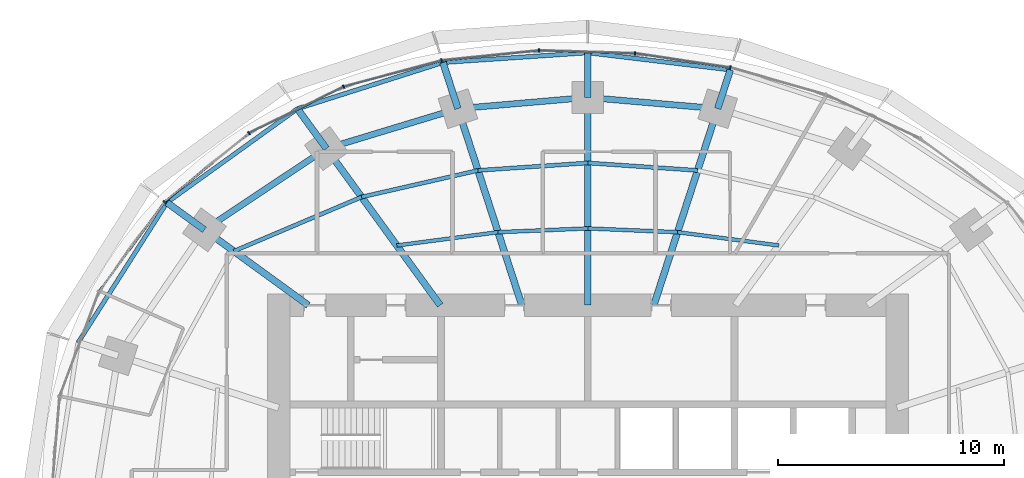
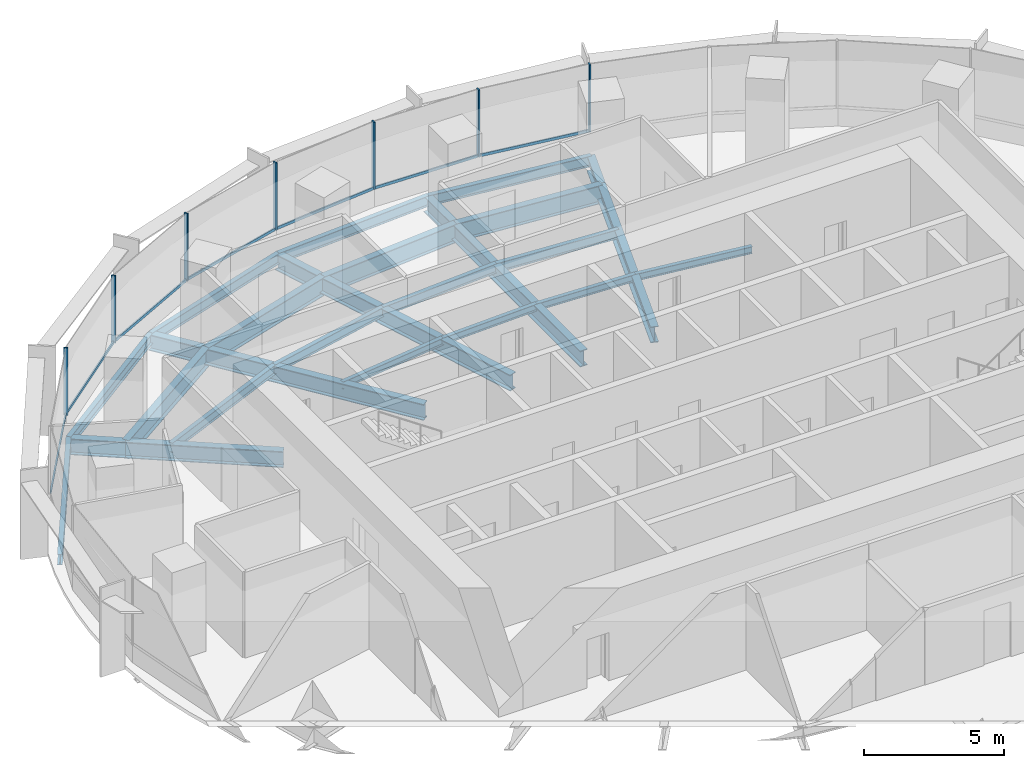
# One storey, part 7 of 14: 27 beams, 14 members, 2 elements without a shape of their own.
"""IFC4 building model written with IfcOpenShell, lengths in metres."""

import ifcopenshell
import ifcopenshell.guid

model = None  # the IFC model being written
_history = None  # IfcOwnerHistory: only IFC2X3 demands one
_inside = {}  # id of a spatial element -> (the spatial element, [elements in it])
_under = {}  # id of a project, library or spatial element -> (it, [spatial elements below it])
_declared = {}  # id of a project -> (the project, [libraries it declares])
_typed = {}  # id of a type object -> (the type object, [elements of that type])
_made_of = {}  # id of a material, layer set ... -> (it, [elements and type objects made of it])


def new_model(schema):
    """Start an empty IFC model of exactly this schema.

    Asked for "IFC4X3", IfcOpenShell would pick the latest addendum, in which some entities
    have other attributes; the version numbers below select the first issue.
    IFC2X3 requires an IfcOwnerHistory on every rooted entity: one is made here for all.
    """
    global model, _history
    if schema == "IFC4X3":
        model = ifcopenshell.file(schema_version=(4, 3, 0, 0))
    else:
        model = ifcopenshell.file(schema=schema)
    _inside.clear()
    _under.clear()
    _declared.clear()
    _typed.clear()
    _made_of.clear()
    _history = None
    if model.schema == "IFC2X3":
        org = make("IfcOrganization", Name="unknown")
        user = make(
            "IfcPersonAndOrganization",
            ThePerson=make("IfcPerson", FamilyName="unknown"),
            TheOrganization=org,
        )
        app = make(
            "IfcApplication",
            ApplicationDeveloper=org,
            Version="unknown",
            ApplicationFullName="unknown",
            ApplicationIdentifier="unknown",
        )
        _history = make(
            "IfcOwnerHistory",
            OwningUser=user,
            OwningApplication=app,
            ChangeAction="ADDED",
            CreationDate=0,
        )
    return model


def make(cls, **values):
    """One entity of the class cls with the attributes given. An attribute that is None is left unset."""
    return model.create_entity(
        cls, **{name: value for name, value in values.items() if value is not None}
    )


def rooted(cls, **values):
    """An entity with a GlobalId (a new one), such as an element, a storey or a relation."""
    return make(cls, GlobalId=ifcopenshell.guid.new(), OwnerHistory=_history, **values)


def si_unit(unit_type, name, prefix=None):
    """IfcSIUnit, for example si_unit("LENGTHUNIT", "METRE", prefix="MILLI")."""
    return make("IfcSIUnit", UnitType=unit_type, Prefix=prefix, Name=name)


def assignment(units):
    """IfcUnitAssignment: the units of a project."""
    return None if units is None else make("IfcUnitAssignment", Units=units)


def point(xyz):
    """IfcCartesianPoint."""
    return None if xyz is None else make("IfcCartesianPoint", Coordinates=xyz)


def direction(xyz):
    """IfcDirection."""
    return None if xyz is None else make("IfcDirection", DirectionRatios=xyz)


def frame(location, z_axis=None, x_axis=None):
    """IfcAxis2Placement3D, a coordinate frame: its origin and axes. An axis left out is left unset."""
    return make(
        "IfcAxis2Placement3D",
        Location=point(location),
        Axis=direction(z_axis),
        RefDirection=direction(x_axis),
    )


def frame_2d(location, x_axis=None):
    """IfcAxis2Placement2D, a coordinate frame in the plane: its origin and x axis."""
    return make(
        "IfcAxis2Placement2D", Location=point(location), RefDirection=direction(x_axis)
    )


def origin():
    """The frame at (0, 0, 0) with its axes left unset."""
    return frame((0.0, 0.0, 0.0))


def origin_2d():
    """The frame at (0, 0) in the plane with its x axis left unset."""
    return frame_2d((0.0, 0.0))


def place(relative_to, where):
    """IfcLocalPlacement: puts the frame where relative to a parent placement (None: the world)."""
    return make(
        "IfcLocalPlacement", PlacementRelTo=relative_to, RelativePlacement=where
    )


def context(
    kind, dimensions, precision=None, world=None, true_north=None, identifier=None
):
    """IfcGeometricRepresentationContext, for example the 3D "Model" context."""
    return make(
        "IfcGeometricRepresentationContext",
        ContextIdentifier=identifier,
        ContextType=kind,
        CoordinateSpaceDimension=dimensions,
        Precision=precision,
        WorldCoordinateSystem=world,
        TrueNorth=true_north,
    )


def subcontext(parent, identifier, kind, view, scale=None):
    """IfcGeometricRepresentationSubContext, for example "Body" below "Model"."""
    return make(
        "IfcGeometricRepresentationSubContext",
        ContextIdentifier=identifier,
        ContextType=kind,
        ParentContext=parent,
        TargetScale=scale,
        TargetView=view,
    )


def project(units=None, contexts=None):
    """IfcProject with its units and contexts."""
    return rooted(
        "IfcProject",
        Name="project",
        RepresentationContexts=contexts,
        UnitsInContext=assignment(units),
    )


def spatial(cls, under=None, at=None, **own):
    """A site, building, storey or space (cls), placed at a placement, below another one or the project."""
    s = rooted(cls, ObjectPlacement=at, **own)
    if under is not None:
        _under.setdefault(under.id(), (under, []))[1].append(s)
    return s


def profile(cls, at=None, kind="AREA", **sizes):
    """A parametric profile (cls). Its sizes go by their IFC names, for example OverallWidth=200.0."""
    return make(cls, ProfileType=kind, Position=at, **sizes)


def rectangle(**sizes):
    """IfcRectangleProfileDef."""
    return profile("IfcRectangleProfileDef", **sizes)


def i_section(**sizes):
    """IfcIShapeProfileDef."""
    return profile("IfcIShapeProfileDef", **sizes)


def extrude(swept, where, along, depth):
    """IfcExtrudedAreaSolid: the profile swept, set in the frame where, extruded along a direction by depth."""
    return make(
        "IfcExtrudedAreaSolid",
        SweptArea=swept,
        Position=where,
        ExtrudedDirection=direction(along),
        Depth=depth,
    )


def shape(context_of_items, identifier, shape_type, items):
    """IfcShapeRepresentation: the items that make up one representation, for example the "Body"."""
    return make(
        "IfcShapeRepresentation",
        ContextOfItems=context_of_items,
        RepresentationIdentifier=identifier,
        RepresentationType=shape_type,
        Items=items,
    )


def material(Name=None, Category=None):
    """IfcMaterial."""
    return make("IfcMaterial", Name=Name, Category=Category)


def material_profile(
    of_material, cross_section, Name=None, Category=None, Priority=None
):
    """IfcMaterialProfile: a cross section and its material."""
    return make(
        "IfcMaterialProfile",
        Name=Name,
        Material=of_material,
        Profile=cross_section,
        Priority=Priority,
        Category=Category,
    )


def profile_set(profiles, Name=None, composite=None):
    """IfcMaterialProfileSet."""
    return make(
        "IfcMaterialProfileSet",
        Name=Name,
        MaterialProfiles=profiles,
        CompositeProfile=composite,
    )


def made_of(thing, what):
    """Note that an element or type object is made of a material, layer set ...; save() writes the relation."""
    if what is not None:
        _made_of.setdefault(what.id(), (what, []))[1].append(thing)
    return thing


def type_object(cls, material=None, **own):
    """A type object (cls), such as IfcWallType, which elements share."""
    return made_of(rooted(cls, **own), material)


def element(
    cls,
    number,
    at=None,
    inside=None,
    cuts=None,
    type_object=None,
    material=None,
    context=None,
    identifier="Body",
    shape_type=None,
    held_by="IfcProductDefinitionShape",
    body=None,
    shapes=None,
    **own,
):
    """One element of the class cls, such as IfcWall. Its Tag is "e" and its number.

    at: its placement. inside: the storey or other place that contains it. cuts: it is an
    opening in that element (IfcRelVoidsElement). A single representation is given by context,
    identifier, shape_type and body (its items); several are given by shapes. held_by: the class
    of the entity that holds the representations. save() writes the other relations.
    """
    e = rooted(cls, Tag="e%d" % number, ObjectPlacement=at, **own)
    if body is not None:
        shapes = [shape(context, identifier, shape_type, body)]
    if shapes is not None:
        e.Representation = make(held_by, Representations=shapes)
    if inside is not None:
        _inside.setdefault(inside.id(), (inside, []))[1].append(e)
    if cuts is not None:
        rooted(
            "IfcRelVoidsElement", RelatingBuildingElement=cuts, RelatedOpeningElement=e
        )
    if type_object is not None:
        _typed.setdefault(type_object.id(), (type_object, []))[1].append(e)
    return made_of(e, material)


def aggregate(whole, parts):
    """IfcRelAggregates: a whole, such as a stair, and the parts it consists of."""
    return rooted("IfcRelAggregates", RelatingObject=whole, RelatedObjects=parts)


def save(model, path):
    """Write the relations noted so far, then the file.

    IfcRelAggregates (storeys below a building ...), IfcRelContainedInSpatialStructure (elements
    in a storey), IfcRelDefinesByType, IfcRelAssociatesMaterial and IfcRelDeclares: one each for
    every whole, place, type object, material and project.
    """
    for whole, parts in _under.values():
        aggregate(whole, parts)
    for where, things in _inside.values():
        rooted(
            "IfcRelContainedInSpatialStructure",
            RelatedElements=things,
            RelatingStructure=where,
        )
    for kind, things in _typed.values():
        rooted("IfcRelDefinesByType", RelatedObjects=things, RelatingType=kind)
    for what, things in _made_of.values():
        rooted("IfcRelAssociatesMaterial", RelatedObjects=things, RelatingMaterial=what)
    for by, libraries in _declared.values():
        rooted("IfcRelDeclares", RelatingContext=by, RelatedDefinitions=libraries)
    model.write(path)


model = new_model("IFC4")

# Units and contexts
model_context = context("Model", 3, precision=1e-05, world=origin(), true_north=direction((0.0, 1.0)))
body_context = subcontext(model_context, "Body", "Model", "MODEL_VIEW")
ifc_project = project(units=[si_unit("LENGTHUNIT", "METRE"), si_unit("AREAUNIT", "SQUARE_METRE"), si_unit("VOLUMEUNIT", "CUBIC_METRE"), si_unit("PLANEANGLEUNIT", "RADIAN"), si_unit("MASSUNIT", "GRAM", prefix="KILO")], contexts=[model_context])

# Site, building, storey
site_placement = place(None, origin())
site = spatial("IfcSite", under=ifc_project, at=site_placement, CompositionType="ELEMENT")
building_placement = place(site_placement, origin())
building = spatial("IfcBuilding", under=site, at=building_placement, Name="Marramba Exchange Tower", CompositionType="ELEMENT")
storey_placement = place(building_placement, frame((0.0, 0.0, 199.39990234375)))
storey = spatial("IfcBuildingStorey", under=building, at=storey_placement, Name="L48", CompositionType="ELEMENT", Elevation=199.39990234375)

# Beams
ifc_material_1 = material(Name="Steel AS/NZS 3679.2 grade 300", Category="steel")
ifc_material_profile_1 = material_profile(ifc_material_1, i_section(OverallWidth=0.300048828125, OverallDepth=0.699951171875, WebThickness=0.010009765625, FlangeThickness=0.031982421875, at=origin_2d()), Name="700WB173")
ifc_profile_set_1 = profile_set([ifc_material_profile_1], Name="Steel AS/NZS 3679.2 grade 300")
beam_type_1 = type_object("IfcBeamType", Name="Cantilever girder 700WB173", PredefinedType="BEAM", material=ifc_profile_set_1)
beam_1_placement = place(storey_placement, frame((5.75390625, 17.70849609375, -0.510009765625), z_axis=(0.308960771946, 0.951074782232, 0.0), x_axis=(-0.951074782232, 0.308960771946, 0.0)))
element("IfcBeam", 1, at=beam_1_placement, inside=storey, type_object=beam_type_1, Name="Cantilever girder L48 TC05", PredefinedType="BEAM", context=body_context, shape_type="SweptSolid", body=[
    extrude(i_section(OverallWidth=0.300048828125, OverallDepth=0.699951171875, WebThickness=0.010009765625, FlangeThickness=0.031982421875, at=origin_2d()), origin(), (0.0, 0.0, 1.0), 1.806396484375),
])
beam_2_placement = place(storey_placement, frame((0.0, 18.2041015625, -0.510009765625), z_axis=(0.0, 1.0, 0.0), x_axis=(-1.0, 0.0, 0.0)))
element("IfcBeam", 2, at=beam_2_placement, inside=storey, type_object=beam_type_1, Name="Cantilever girder L48 TC06", PredefinedType="BEAM", context=body_context, shape_type="SweptSolid", body=[
    extrude(i_section(OverallWidth=0.300048828125, OverallDepth=0.699951171875, WebThickness=0.010009765625, FlangeThickness=0.031982421875, at=origin_2d()), origin(), (0.0, 0.0, 1.0), 1.982177734375),
])
beam_3_placement = place(storey_placement, frame((-5.75390625, 17.70849609375, -0.510009765625), z_axis=(-0.308998798068, 0.951062428441, 0.0), x_axis=(-0.951062428441, -0.308998798068, 0.0)))
element("IfcBeam", 3, at=beam_3_placement, inside=storey, type_object=beam_type_1, Name="Cantilever girder L48 TC07", PredefinedType="BEAM", context=body_context, shape_type="SweptSolid", body=[
    extrude(i_section(OverallWidth=0.300048828125, OverallDepth=0.699951171875, WebThickness=0.010009765625, FlangeThickness=0.031982421875, at=origin_2d()), origin(), (0.0, 0.0, 1.0), 2.150634765625),
])
beam_4_placement = place(storey_placement, frame((-11.581298828125, 15.9404296875, -0.510009765625), z_axis=(-0.587832433352, 0.808982713226, 0.0), x_axis=(-0.808982713226, -0.587832433352, 0.0)))
element("IfcBeam", 4, at=beam_4_placement, inside=storey, type_object=beam_type_1, Name="Cantilever girder L48 TC08", PredefinedType="BEAM", context=body_context, shape_type="SweptSolid", body=[
    extrude(i_section(OverallWidth=0.300048828125, OverallDepth=0.699951171875, WebThickness=0.010009765625, FlangeThickness=0.031982421875, at=origin_2d()), origin(), (0.0, 0.0, 1.0), 2.1826171875),
])
beam_5_placement = place(storey_placement, frame((-16.98583984375, 12.3408203125, -0.510009765625), z_axis=(-0.808962446125, 0.587860324192, 0.0), x_axis=(-0.587860324192, -0.808962446125, 0.0)))
element("IfcBeam", 5, at=beam_5_placement, inside=storey, type_object=beam_type_1, Name="Cantilever girder L48 TC09", PredefinedType="BEAM", context=body_context, shape_type="SweptSolid", body=[
    extrude(i_section(OverallWidth=0.300048828125, OverallDepth=0.699951171875, WebThickness=0.010009765625, FlangeThickness=0.031982421875, at=origin_2d()), origin(), (0.0, 0.0, 1.0), 2.051513671875),
])
ifc_material_2 = material(Name="Steel AS/NZS 3679.1 grade 300", Category="steel")
ifc_material_profile_2 = material_profile(ifc_material_2, i_section(OverallWidth=0.166015625, OverallDepth=0.306884765625, WebThickness=0.006591796875, FlangeThickness=0.01171875, FilletRadius=0.011474609375, at=origin_2d()), Name="310UB46.2")
ifc_profile_set_2 = profile_set([ifc_material_profile_2], Name="Steel AS/NZS 3679.1 grade 300")
beam_type_2 = type_object("IfcBeamType", Name="Floor joist 310UB46.2", PredefinedType="JOIST", material=ifc_profile_set_2)
beam_6_placement = place(storey_placement, frame((8.4619140625, 11.646728515625, -0.3134765625), z_axis=(-0.991480538255, 0.130254912618, 0.0), x_axis=(-0.130254912618, -0.991480538255, 0.0)))
element("IfcBeam", 6, at=beam_6_placement, inside=storey, type_object=beam_type_2, Name="Joist L48 bay 04 row 1", PredefinedType="JOIST", context=body_context, shape_type="SweptSolid", body=[
    extrude(i_section(OverallWidth=0.166015625, OverallDepth=0.306884765625, WebThickness=0.006591796875, FlangeThickness=0.01171875, FilletRadius=0.011474609375, at=origin_2d()), origin(), (0.0, 0.0, 1.0), 4.524658203125),
])
for number, where, z_axis, x_axis, name in (
    (7, (3.975830078125, 12.236083984375, -0.3134765625), (-0.999137002892, 0.041536122257, 0.0), (-0.041536122257, -0.999137002892, 0.0), "Joist L48 bay 05 row 1"),
    (8, (0.0, 12.4013671875, -0.3134765625), (-0.999137002892, -0.041536122257, 0.0), (0.041536122257, -0.999137002892, 0.0), "Joist L48 bay 06 row 1"),
):
    element("IfcBeam", number, at=place(storey_placement, frame(where, z_axis=z_axis, x_axis=x_axis)), inside=storey, type_object=beam_type_2, Name=name, PredefinedType="JOIST", context=body_context, shape_type="SweptSolid", body=[
        extrude(i_section(OverallWidth=0.166015625, OverallDepth=0.306884765625, WebThickness=0.006591796875, FlangeThickness=0.01171875, FilletRadius=0.011474609375, at=origin_2d()), origin(), (0.0, 0.0, 1.0), 3.979248046875),
    ])
beam_7_placement = place(storey_placement, frame((-3.975830078125, 12.236083984375, -0.3134765625), z_axis=(-0.991480538255, -0.130254912618, 0.0), x_axis=(0.130254912618, -0.991480538255, 0.0)))
element("IfcBeam", 9, at=beam_7_placement, inside=storey, type_object=beam_type_2, Name="Joist L48 bay 07 row 1", PredefinedType="JOIST", context=body_context, shape_type="SweptSolid", body=[
    extrude(i_section(OverallWidth=0.166015625, OverallDepth=0.306884765625, WebThickness=0.006591796875, FlangeThickness=0.01171875, FilletRadius=0.011474609375, at=origin_2d()), origin(), (0.0, 0.0, 1.0), 4.524658203125),
])
ifc_material_profile_3 = material_profile(ifc_material_2, i_section(OverallWidth=0.177978515625, OverallDepth=0.406005859375, WebThickness=0.0078125, FlangeThickness=0.0126953125, FilletRadius=0.011474609375, at=origin_2d()), Name="410UB59.7")
ifc_profile_set_3 = profile_set([ifc_material_profile_3], Name="Steel AS/NZS 3679.1 grade 300")
beam_type_3 = type_object("IfcBeamType", Name="Floor joist 410UB59.7", PredefinedType="JOIST", material=ifc_profile_set_3)
for number, where, z_axis, x_axis, name in (
    (10, (4.86474609375, 14.972412109375, -0.36279296875), (-0.997702652202, 0.067745241816, 0.0), (-0.067745241816, -0.997702652202, 0.0), "Joist L48 bay 05 row 2"),
    (11, (0.0, 15.302734375, -0.36279296875), (-0.997702652202, -0.067745241816, 0.0), (0.067745241816, -0.997702652202, 0.0), "Joist L48 bay 06 row 2"),
):
    element("IfcBeam", number, at=place(storey_placement, frame(where, z_axis=z_axis, x_axis=x_axis)), inside=storey, type_object=beam_type_3, Name=name, PredefinedType="JOIST", context=body_context, shape_type="SweptSolid", body=[
        extrude(i_section(OverallWidth=0.177978515625, OverallDepth=0.406005859375, WebThickness=0.0078125, FlangeThickness=0.0126953125, FilletRadius=0.011474609375, at=origin_2d()), origin(), (0.0, 0.0, 1.0), 4.8759765625),
    ])
beam_8_placement = place(storey_placement, frame((-4.86474609375, 14.972412109375, -0.36279296875), z_axis=(-0.974859652292, -0.222819788916, 0.0), x_axis=(0.222819788916, -0.974859652292, 0.0)))
element("IfcBeam", 12, at=beam_8_placement, inside=storey, type_object=beam_type_3, Name="Joist L48 bay 07 row 2", PredefinedType="JOIST", context=body_context, shape_type="SweptSolid", body=[
    extrude(i_section(OverallWidth=0.177978515625, OverallDepth=0.406005859375, WebThickness=0.0078125, FlangeThickness=0.0126953125, FilletRadius=0.011474609375, at=origin_2d()), origin(), (0.0, 0.0, 1.0), 5.2900390625),
])
beam_9_placement = place(storey_placement, frame((-10.021728515625, 13.793701171875, -0.36279296875), z_axis=(-0.920674336375, -0.390331610738, 0.0), x_axis=(0.390331610738, -0.920674336375, 0.0)))
element("IfcBeam", 13, at=beam_9_placement, inside=storey, type_object=beam_type_3, Name="Joist L48 bay 08 row 2", PredefinedType="JOIST", context=body_context, shape_type="SweptSolid", body=[
    extrude(i_section(OverallWidth=0.177978515625, OverallDepth=0.406005859375, WebThickness=0.0078125, FlangeThickness=0.0126953125, FilletRadius=0.011474609375, at=origin_2d()), origin(), (0.0, 0.0, 1.0), 6.1484375),
])

# Curtain wall, members
ifc_material_3 = material(Name="Aluminium framing, bronze anodised", Category="aluminium")
curtain_wall_type = type_object("IfcCurtainWallType", Name="Office ribbon curtain wall", PredefinedType="USERDEFINED", material=ifc_material_3)
curtain_wall_1_placement = place(storey_placement, origin())
curtain_wall_1 = element("IfcCurtainWall", 14, at=curtain_wall_1_placement, inside=storey, type_object=curtain_wall_type, Name="Curtain wall CW4 L48 F06-F10", ObjectType="RIBBON CURTAIN WALL", PredefinedType="USERDEFINED")
ifc_material_4 = material(Name="Aluminium mullion, bronze anodised", Category="aluminium")
ifc_material_profile_4 = material_profile(ifc_material_4, rectangle(XDim=0.159912109375, YDim=0.06005859375, at=origin_2d()), Name="CW4 mullion 60x160")
ifc_profile_set_4 = profile_set([ifc_material_profile_4], Name="Aluminium mullion, bronze anodised")
member_type_1 = type_object("IfcMemberType", Name="Office ribbon curtain wall mullion", PredefinedType="MULLION", material=ifc_profile_set_4)
member_1_placement = place(storey_placement, frame((6.313232421875, 19.526123046875, 0.800048828125), z_axis=(0.0, 0.0, 1.0), x_axis=(-0.148794988635, -0.988868065698, 0.0)))
member_1 = element("IfcMember", 15, at=member_1_placement, type_object=member_type_1, Name="CW4 mullion 1", PredefinedType="MULLION", context=body_context, shape_type="SweptSolid", body=[
    extrude(rectangle(XDim=0.159912109375, YDim=0.06005859375, at=origin_2d()), origin(), (0.0, 0.0, 1.0), 2.93994140625),
])
member_2_placement = place(storey_placement, frame((2.088623046875, 20.158203125, 0.800048828125), z_axis=(0.0, 0.0, 1.0), x_axis=(-0.03039385249, -0.999538000143, 0.0)))
member_2 = element("IfcMember", 16, at=member_2_placement, type_object=member_type_1, Name="CW4 mullion 1", PredefinedType="MULLION", context=body_context, shape_type="SweptSolid", body=[
    extrude(rectangle(XDim=0.159912109375, YDim=0.06005859375, at=origin_2d()), origin(), (0.0, 0.0, 1.0), 2.93994140625),
])
member_3_placement = place(storey_placement, frame((-2.162109375, 20.28369140625, 0.800048828125), z_axis=(0.0, 0.0, 1.0), x_axis=(0.100862673507, -0.994900357369, 0.0)))
member_3 = element("IfcMember", 17, at=member_3_placement, type_object=member_type_1, Name="CW4 mullion 1", PredefinedType="MULLION", context=body_context, shape_type="SweptSolid", body=[
    extrude(rectangle(XDim=0.159912109375, YDim=0.06005859375, at=origin_2d()), origin(), (0.0, 0.0, 1.0), 2.93994140625),
])
member_4_placement = place(storey_placement, frame((-6.478271484375, 19.84130859375, 0.800048828125), z_axis=(0.0, 0.0, 1.0), x_axis=(0.257641223778, -0.966240653155, 0.0)))
member_4 = element("IfcMember", 18, at=member_4_placement, type_object=member_type_1, Name="CW4 mullion 1", PredefinedType="MULLION", context=body_context, shape_type="SweptSolid", body=[
    extrude(rectangle(XDim=0.159912109375, YDim=0.06005859375, at=origin_2d()), origin(), (0.0, 0.0, 1.0), 2.93994140625),
])

curtain_wall_2_placement = place(storey_placement, origin())
curtain_wall_2 = element("IfcCurtainWall", 19, at=curtain_wall_2_placement, inside=storey, type_object=curtain_wall_type, Name="Curtain wall CW4 L48 F11-F15", ObjectType="RIBBON CURTAIN WALL", PredefinedType="USERDEFINED")
member_5_placement = place(storey_placement, frame((-10.818359375, 18.677978515625, 0.800048828125), z_axis=(0.0, 0.0, 1.0), x_axis=(0.438972456661, -0.898500518805, 0.0)))
member_5 = element("IfcMember", 20, at=member_5_placement, type_object=member_type_1, Name="CW4 mullion 1", PredefinedType="MULLION", context=body_context, shape_type="SweptSolid", body=[
    extrude(rectangle(XDim=0.159912109375, YDim=0.06005859375, at=origin_2d()), origin(), (0.0, 0.0, 1.0), 2.93994140625),
])
member_6_placement = place(storey_placement, frame((-15.008056640625, 16.62353515625, 0.800048828125), z_axis=(0.0, 0.0, 1.0), x_axis=(0.630200830464, -0.776432169145, 0.0)))
member_6 = element("IfcMember", 21, at=member_6_placement, type_object=member_type_1, Name="CW4 mullion 1", PredefinedType="MULLION", context=body_context, shape_type="SweptSolid", body=[
    extrude(rectangle(XDim=0.159912109375, YDim=0.06005859375, at=origin_2d()), origin(), (0.0, 0.0, 1.0), 2.93994140625),
])
member_7_placement = place(storey_placement, frame((-18.744140625, 13.581298828125, 0.800048828125), z_axis=(0.0, 0.0, 1.0), x_axis=(0.805965197024, -0.591962922138, 0.0)))
member_7 = element("IfcMember", 22, at=member_7_placement, type_object=member_type_1, Name="CW4 mullion 1", PredefinedType="MULLION", context=body_context, shape_type="SweptSolid", body=[
    extrude(rectangle(XDim=0.159912109375, YDim=0.06005859375, at=origin_2d()), origin(), (0.0, 0.0, 1.0), 2.93994140625),
])

# Member
ifc_material_5 = material(Name="Aluminium transom, bronze anodised", Category="aluminium")
ifc_material_profile_5 = material_profile(ifc_material_5, rectangle(XDim=0.06005859375, YDim=0.1201171875, at=origin_2d()), Name="CW4 transom 60x120")
ifc_profile_set_5 = profile_set([ifc_material_profile_5], Name="Aluminium transom, bronze anodised")
member_type_2 = type_object("IfcMemberType", Name="Office ribbon curtain wall transom", PredefinedType="USERDEFINED", material=ifc_profile_set_5)
member_8_placement = place(storey_placement, frame((6.28369140625, 19.53076171875, 0.830078125), z_axis=(-0.988868222508, 0.148793946493, 0.0), x_axis=(-0.148793946493, -0.988868222508, 0.0)))
member_8 = element("IfcMember", 23, at=member_8_placement, type_object=member_type_2, Name="CW4 sill transom", ObjectType="TRANSOM", PredefinedType="USERDEFINED", context=body_context, shape_type="SweptSolid", body=[
    extrude(rectangle(XDim=0.06005859375, YDim=0.1201171875, at=origin_2d()), origin(), (0.0, 0.0, 1.0), 4.2119140625),
])

member_9_placement = place(storey_placement, frame((2.05859375, 20.1591796875, 0.830078125), z_axis=(-0.99953796835, 0.030394898024, 0.0), x_axis=(-0.030394898024, -0.99953796835, 0.0)))
member_9 = element("IfcMember", 24, at=member_9_placement, type_object=member_type_2, Name="CW4 sill transom", ObjectType="TRANSOM", PredefinedType="USERDEFINED", context=body_context, shape_type="SweptSolid", body=[
    extrude(rectangle(XDim=0.06005859375, YDim=0.1201171875, at=origin_2d()), origin(), (0.0, 0.0, 1.0), 4.19287109375),
])

member_10_placement = place(storey_placement, frame((-2.19189453125, 20.280517578125, 0.830078125), z_axis=(-0.99489954864, -0.100870650418, 0.0), x_axis=(0.100870650418, -0.99489954864, 0.0)))
member_10 = element("IfcMember", 25, at=member_10_placement, type_object=member_type_2, Name="CW4 sill transom", ObjectType="TRANSOM", PredefinedType="USERDEFINED", context=body_context, shape_type="SweptSolid", body=[
    extrude(rectangle(XDim=0.06005859375, YDim=0.1201171875, at=origin_2d()), origin(), (0.0, 0.0, 1.0), 4.279052734375),
])

member_11_placement = place(storey_placement, frame((-6.50732421875, 19.83349609375, 0.830078125), z_axis=(-0.966237681407, -0.25765236857, 0.0), x_axis=(0.25765236857, -0.966237681407, 0.0)))
member_11 = element("IfcMember", 26, at=member_11_placement, type_object=member_type_2, Name="CW4 sill transom", ObjectType="TRANSOM", PredefinedType="USERDEFINED", context=body_context, shape_type="SweptSolid", body=[
    extrude(rectangle(XDim=0.06005859375, YDim=0.1201171875, at=origin_2d()), origin(), (0.0, 0.0, 1.0), 4.43359375),
])

aggregate(curtain_wall_1, [member_1, member_8, member_2, member_9, member_3, member_10, member_4, member_11])

member_12_placement = place(storey_placement, frame((-10.84521484375, 18.664794921875, 0.830078125), z_axis=(-0.898501418486, -0.438970615165, 0.0), x_axis=(0.438970615165, -0.898501418486, 0.0)))
member_12 = element("IfcMember", 27, at=member_12_placement, type_object=member_type_2, Name="CW4 sill transom", ObjectType="TRANSOM", PredefinedType="USERDEFINED", context=body_context, shape_type="SweptSolid", body=[
    extrude(rectangle(XDim=0.06005859375, YDim=0.1201171875, at=origin_2d()), origin(), (0.0, 0.0, 1.0), 4.607177734375),
])

member_13_placement = place(storey_placement, frame((-15.031494140625, 16.6044921875, 0.830078125), z_axis=(-0.776424623019, -0.630210127473, 0.0), x_axis=(0.630210127473, -0.776424623019, 0.0)))
member_13 = element("IfcMember", 28, at=member_13_placement, type_object=member_type_2, Name="CW4 sill transom", ObjectType="TRANSOM", PredefinedType="USERDEFINED", context=body_context, shape_type="SweptSolid", body=[
    extrude(rectangle(XDim=0.06005859375, YDim=0.1201171875, at=origin_2d()), origin(), (0.0, 0.0, 1.0), 4.7587890625),
])

member_14_placement = place(storey_placement, frame((-18.761962890625, 13.55712890625, 0.830078125), z_axis=(-0.591957380483, -0.805969267213, 0.0), x_axis=(0.805969267213, -0.591957380483, 0.0)))
member_14 = element("IfcMember", 29, at=member_14_placement, type_object=member_type_2, Name="CW4 sill transom", ObjectType="TRANSOM", PredefinedType="USERDEFINED", context=body_context, shape_type="SweptSolid", body=[
    extrude(rectangle(XDim=0.06005859375, YDim=0.1201171875, at=origin_2d()), origin(), (0.0, 0.0, 1.0), 4.865478515625),
])

aggregate(curtain_wall_2, [member_5, member_12, member_6, member_13, member_7, member_14])

# Beams
ifc_material_profile_6 = material_profile(ifc_material_1, i_section(OverallWidth=0.300048828125, OverallDepth=0.699951171875, WebThickness=0.010009765625, FlangeThickness=0.031982421875, at=origin_2d()), Name="700WB173")
ifc_profile_set_6 = profile_set([ifc_material_profile_6], Name="Steel AS/NZS 3679.2 grade 300")
beam_type_4 = type_object("IfcBeamType", Name="Radial girder 700WB173", PredefinedType="BEAM", material=ifc_profile_set_6)
beam_10_placement = place(storey_placement, frame((2.92431640625, 9.0, -0.510009765625), z_axis=(0.309019754162, 0.951055619582, 0.0), x_axis=(-0.951055619582, 0.309019754162, 0.0)))
element("IfcBeam", 30, at=beam_10_placement, inside=storey, type_object=beam_type_4, Name="Radial girder L48 TC05", PredefinedType="BEAM", context=body_context, shape_type="SweptSolid", body=[
    extrude(i_section(OverallWidth=0.300048828125, OverallDepth=0.699951171875, WebThickness=0.010009765625, FlangeThickness=0.031982421875, at=origin_2d()), origin(), (0.0, 0.0, 1.0), 9.15673828125),
])
beam_11_placement = place(storey_placement, frame((0.0, 9.0, -0.510009765625), z_axis=(0.0, 1.0, 0.0), x_axis=(-1.0, 0.0, 0.0)))
element("IfcBeam", 31, at=beam_11_placement, inside=storey, type_object=beam_type_4, Name="Radial girder L48 TC06", PredefinedType="BEAM", context=body_context, shape_type="SweptSolid", body=[
    extrude(i_section(OverallWidth=0.300048828125, OverallDepth=0.699951171875, WebThickness=0.010009765625, FlangeThickness=0.031982421875, at=origin_2d()), origin(), (0.0, 0.0, 1.0), 9.2041015625),
])
beam_12_placement = place(storey_placement, frame((-2.92431640625, 9.0, -0.510009765625), z_axis=(-0.309019754162, 0.951055619582, 0.0), x_axis=(-0.951055619582, -0.309019754162, 0.0)))
element("IfcBeam", 32, at=beam_12_placement, inside=storey, type_object=beam_type_4, Name="Radial girder L48 TC07", PredefinedType="BEAM", context=body_context, shape_type="SweptSolid", body=[
    extrude(i_section(OverallWidth=0.300048828125, OverallDepth=0.699951171875, WebThickness=0.010009765625, FlangeThickness=0.031982421875, at=origin_2d()), origin(), (0.0, 0.0, 1.0), 9.15673828125),
])
beam_13_placement = place(storey_placement, frame((-6.538818359375, 9.0, -0.510009765625), z_axis=(-0.587782439969, 0.80901903764, 0.0), x_axis=(-0.80901903764, -0.587782439969, 0.0)))
element("IfcBeam", 33, at=beam_13_placement, inside=storey, type_object=beam_type_4, Name="Radial girder L48 TC08", PredefinedType="BEAM", context=body_context, shape_type="SweptSolid", body=[
    extrude(i_section(OverallWidth=0.300048828125, OverallDepth=0.699951171875, WebThickness=0.010009765625, FlangeThickness=0.031982421875, at=origin_2d()), origin(), (0.0, 0.0, 1.0), 8.578857421875),
])
beam_14_placement = place(storey_placement, frame((-12.387451171875, 9.0, -0.510009765625), z_axis=(-0.809025746925, 0.587773205252, 0.0), x_axis=(-0.587773205252, -0.809025746925, 0.0)))
element("IfcBeam", 34, at=beam_14_placement, inside=storey, type_object=beam_type_4, Name="Radial girder L48 TC09", PredefinedType="BEAM", context=body_context, shape_type="SweptSolid", body=[
    extrude(i_section(OverallWidth=0.300048828125, OverallDepth=0.699951171875, WebThickness=0.010009765625, FlangeThickness=0.031982421875, at=origin_2d()), origin(), (0.0, 0.0, 1.0), 5.683837890625),
])
ifc_material_profile_7 = material_profile(ifc_material_1, i_section(OverallWidth=0.27490234375, OverallDepth=0.800048828125, WebThickness=0.010009765625, FlangeThickness=0.02490234375, at=origin_2d()), Name="800WB168")
ifc_profile_set_7 = profile_set([ifc_material_profile_7], Name="Steel AS/NZS 3679.2 grade 300")
beam_type_5 = type_object("IfcBeamType", Name="Ring beam 800WB168", PredefinedType="SPANDREL", material=ifc_profile_set_7)
for number, where, z_axis, x_axis, name in (
    (35, (5.75390625, 17.70849609375, -0.559814453125), (-0.996311003275, 0.085815993578, 0.0), (-0.085815993578, -0.996311003275, 0.0), "Ring beam L48 TC05-TC06"),
    (36, (0.0, 18.2041015625, -0.559814453125), (-0.996311003275, -0.085815993578, 0.0), (0.085815993578, -0.996311003275, 0.0), "Ring beam L48 TC06-TC07"),
):
    element("IfcBeam", number, at=place(storey_placement, frame(where, z_axis=z_axis, x_axis=x_axis)), inside=storey, type_object=beam_type_5, Name=name, PredefinedType="SPANDREL", context=body_context, shape_type="SweptSolid", body=[
        extrude(i_section(OverallWidth=0.27490234375, OverallDepth=0.800048828125, WebThickness=0.010009765625, FlangeThickness=0.02490234375, at=origin_2d()), origin(), (0.0, 0.0, 1.0), 5.775146484375),
    ])
beam_15_placement = place(storey_placement, frame((-5.75390625, 17.70849609375, -0.559814453125), z_axis=(-0.956924542524, -0.290336735387, 0.0), x_axis=(0.290336735387, -0.956924542524, 0.0)))
element("IfcBeam", 37, at=beam_15_placement, inside=storey, type_object=beam_type_5, Name="Ring beam L48 TC07-TC08", PredefinedType="SPANDREL", context=body_context, shape_type="SweptSolid", body=[
    extrude(i_section(OverallWidth=0.27490234375, OverallDepth=0.800048828125, WebThickness=0.010009765625, FlangeThickness=0.02490234375, at=origin_2d()), origin(), (0.0, 0.0, 1.0), 6.089599609375),
])
beam_16_placement = place(storey_placement, frame((-11.581298828125, 15.9404296875, -0.559814453125), z_axis=(-0.832293151443, -0.554335737673, 0.0), x_axis=(0.554335737673, -0.832293151443, 0.0)))
element("IfcBeam", 38, at=beam_16_placement, inside=storey, type_object=beam_type_5, Name="Ring beam L48 TC08-TC09", PredefinedType="SPANDREL", context=body_context, shape_type="SweptSolid", body=[
    extrude(i_section(OverallWidth=0.27490234375, OverallDepth=0.800048828125, WebThickness=0.010009765625, FlangeThickness=0.02490234375, at=origin_2d()), origin(), (0.0, 0.0, 1.0), 6.49365234375),
])
ifc_material_profile_8 = material_profile(ifc_material_2, i_section(OverallWidth=0.19091796875, OverallDepth=0.4599609375, WebThickness=0.010009765625, FlangeThickness=0.01611328125, FilletRadius=0.011474609375, at=origin_2d()), Name="460UB82.1")
ifc_profile_set_8 = profile_set([ifc_material_profile_8], Name="Steel AS/NZS 3679.1 grade 300")
beam_type_6 = type_object("IfcBeamType", Name="Slab edge beam 460UB82.1", PredefinedType="SPANDREL", material=ifc_profile_set_8)
beam_17_placement = place(storey_placement, frame((6.31201171875, 19.426513671875, -0.389892578125), z_axis=(-0.992833525914, 0.119505605811, 0.0), x_axis=(-0.119505605811, -0.992833525914, 0.0)))
element("IfcBeam", 39, at=beam_17_placement, inside=storey, type_object=beam_type_6, Name="Slab edge beam L48 TC05-TC06", PredefinedType="SPANDREL", context=body_context, shape_type="SweptSolid", body=[
    extrude(i_section(OverallWidth=0.19091796875, OverallDepth=0.4599609375, WebThickness=0.010009765625, FlangeThickness=0.01611328125, FilletRadius=0.011474609375, at=origin_2d()), origin(), (0.0, 0.0, 1.0), 6.357666015625),
])
beam_18_placement = place(storey_placement, frame((0.0, 20.186279296875, -0.389892578125), z_axis=(-0.997738737775, -0.06721168903, 0.0), x_axis=(0.06721168903, -0.997738737775, 0.0)))
element("IfcBeam", 40, at=beam_18_placement, inside=storey, type_object=beam_type_6, Name="Slab edge beam L48 TC06-TC07", PredefinedType="SPANDREL", context=body_context, shape_type="SweptSolid", body=[
    extrude(i_section(OverallWidth=0.19091796875, OverallDepth=0.4599609375, WebThickness=0.010009765625, FlangeThickness=0.01611328125, FilletRadius=0.011474609375, at=origin_2d()), origin(), (0.0, 0.0, 1.0), 6.43310546875),
])
beam_19_placement = place(storey_placement, frame((-6.41845703125, 19.75390625, -0.389892578125), z_axis=(-0.953057484675, -0.302789416766, 0.0), x_axis=(0.302789416766, -0.953057484675, 0.0)))
element("IfcBeam", 41, at=beam_19_placement, inside=storey, type_object=beam_type_6, Name="Slab edge beam L48 TC07-TC08", PredefinedType="SPANDREL", context=body_context, shape_type="SweptSolid", body=[
    extrude(i_section(OverallWidth=0.19091796875, OverallDepth=0.4599609375, WebThickness=0.010009765625, FlangeThickness=0.01611328125, FilletRadius=0.011474609375, at=origin_2d()), origin(), (0.0, 0.0, 1.0), 6.76318359375),
])
beam_20_placement = place(storey_placement, frame((-12.8642578125, 17.7060546875, -0.389892578125), z_axis=(-0.811755352788, -0.583997643163, 0.0), x_axis=(0.583997643163, -0.811755352788, 0.0)))
element("IfcBeam", 42, at=beam_20_placement, inside=storey, type_object=beam_type_6, Name="Slab edge beam L48 TC08-TC09", PredefinedType="SPANDREL", context=body_context, shape_type="SweptSolid", body=[
    extrude(i_section(OverallWidth=0.19091796875, OverallDepth=0.4599609375, WebThickness=0.010009765625, FlangeThickness=0.01611328125, FilletRadius=0.011474609375, at=origin_2d()), origin(), (0.0, 0.0, 1.0), 7.121826171875),
])
beam_21_placement = place(storey_placement, frame((-18.6455078125, 13.546875, -0.389892578125), z_axis=(-0.535794396634, -0.844348485245, 0.0), x_axis=(0.844348485245, -0.535794396634, 0.0)))
element("IfcBeam", 43, at=beam_21_placement, inside=storey, type_object=beam_type_6, Name="Slab edge beam L48 TC09-TC10", PredefinedType="SPANDREL", context=body_context, shape_type="SweptSolid", body=[
    extrude(i_section(OverallWidth=0.19091796875, OverallDepth=0.4599609375, WebThickness=0.010009765625, FlangeThickness=0.01611328125, FilletRadius=0.011474609375, at=origin_2d()), origin(), (0.0, 0.0, 1.0), 7.35302734375),
])

save(model, "model.ifc")
